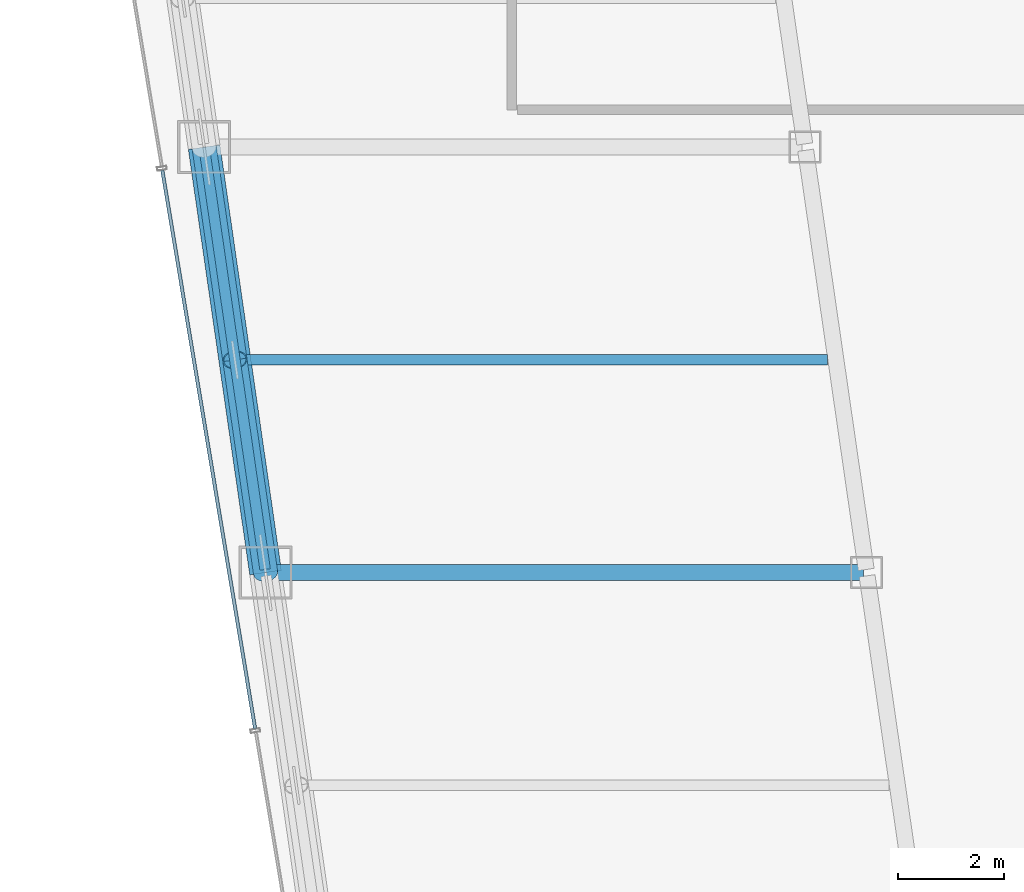
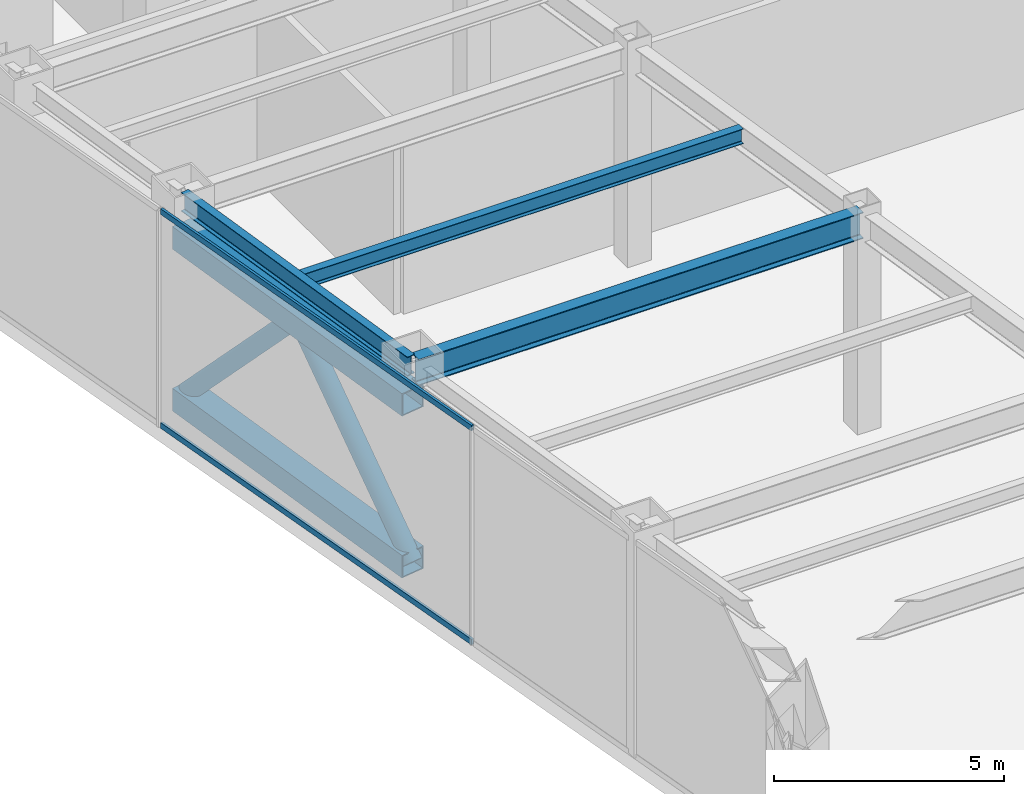
# One storey, part 8 of 30: 6 members, 3 beams, 1 element without a shape of its own.
"""IFC4 building model written with IfcOpenShell, lengths in metres."""

from ifc_helpers import new_model, si_unit, direction, frame, origin, origin_2d, place, context, subcontext, project, spatial, hollow_rectangle, hollow_circle, i_section, extrude, material, material_profile, profile_set, type_object, element, aggregate, save


model = new_model("IFC4")

# Units and contexts
model_context = context("Model", 3, precision=1e-05, world=origin(), true_north=direction((0.0, 1.0)))
body_context = subcontext(model_context, "Body", "Model", "MODEL_VIEW")
ifc_project = project(units=[si_unit("LENGTHUNIT", "METRE"), si_unit("AREAUNIT", "SQUARE_METRE"), si_unit("VOLUMEUNIT", "CUBIC_METRE"), si_unit("PLANEANGLEUNIT", "RADIAN"), si_unit("MASSUNIT", "GRAM", prefix="KILO")], contexts=[model_context])

# Site, building, storey
site_placement = place(None, origin())
site = spatial("IfcSite", under=ifc_project, at=site_placement, CompositionType="ELEMENT")
building_placement = place(site_placement, origin())
building = spatial("IfcBuilding", under=site, at=building_placement, Name="Saevonmaru Cultural Tower", CompositionType="ELEMENT")
storey_placement = place(building_placement, frame((0.0, 0.0, 123.60009765625)))
storey = spatial("IfcBuildingStorey", under=building, at=storey_placement, Name="L26", CompositionType="ELEMENT", Elevation=123.60009765625)

# Beams
ifc_material_1 = material(Name="Steel SM355", Category="steel")
ifc_material_profile_1 = material_profile(ifc_material_1, i_section(OverallWidth=0.300048828125, OverallDepth=0.699951171875, WebThickness=0.012939453125, FlangeThickness=0.02392578125, FilletRadius=0.02587890625, at=origin_2d()), Name="H-700x300x13x24")
ifc_profile_set_1 = profile_set([ifc_material_profile_1], Name="Steel SM355")
beam_type_1 = type_object("IfcBeamType", Name="BM-G-H700", PredefinedType="BEAM", material=ifc_profile_set_1)
beam_1_placement = place(storey_placement, frame((9.531982421875, 24.0, 5.39990234375), z_axis=(1.0, 0.0, 0.0), x_axis=(0.0, 1.0, 0.0)))
element("IfcBeam", 1, at=beam_1_placement, inside=storey, type_object=beam_type_1, Name="L26 West Wing Transverse Girder 3", PredefinedType="BEAM", context=body_context, shape_type="SweptSolid", body=[
    extrude(i_section(OverallWidth=0.300048828125, OverallDepth=0.699951171875, WebThickness=0.012939453125, FlangeThickness=0.02392578125, FilletRadius=0.02587890625, at=origin_2d()), origin(), (0.0, 0.0, 1.0), 11.179931640625),
])
ifc_material_profile_2 = material_profile(ifc_material_1, i_section(OverallWidth=0.199951171875, OverallDepth=0.39990234375, WebThickness=0.008056640625, FlangeThickness=0.012939453125, FilletRadius=0.01611328125, at=origin_2d()), Name="H-400x200x8x13")
ifc_profile_set_2 = profile_set([ifc_material_profile_2], Name="Steel SM355")
beam_type_2 = type_object("IfcBeamType", Name="BM-J-H400", PredefinedType="JOIST", material=ifc_profile_set_2)
beam_2_placement = place(storey_placement, frame((8.95458984375, 28.0, 5.5498046875), z_axis=(1.0, 0.0, 0.0), x_axis=(0.0, 1.0, 0.0)))
element("IfcBeam", 2, at=beam_2_placement, inside=storey, type_object=beam_type_2, Name="L26 West Wing Floor Joist 3", PredefinedType="JOIST", context=body_context, shape_type="SweptSolid", body=[
    extrude(i_section(OverallWidth=0.199951171875, OverallDepth=0.39990234375, WebThickness=0.008056640625, FlangeThickness=0.012939453125, FilletRadius=0.01611328125, at=origin_2d()), origin(), (0.0, 0.0, 1.0), 11.08203125),
])
ifc_material_profile_3 = material_profile(ifc_material_1, i_section(OverallWidth=0.199951171875, OverallDepth=0.5, WebThickness=0.010009765625, FlangeThickness=0.01611328125, FilletRadius=0.02001953125, at=origin_2d()), Name="H-500x200x10x16")
ifc_profile_set_3 = profile_set([ifc_material_profile_3], Name="Steel SM355")
beam_type_3 = type_object("IfcBeamType", Name="BM-SP-H500", PredefinedType="SPANDREL", material=ifc_profile_set_3)
beam_3_placement = place(storey_placement, frame((9.46337890625, 24.059326171875, 5.5), z_axis=(-0.142871999001, 0.989741174197, 0.0), x_axis=(-0.989741174197, -0.142871999001, 0.0)))
element("IfcBeam", 3, at=beam_3_placement, inside=storey, type_object=beam_type_3, Name="L26 West Splayed Spandrel 3", PredefinedType="SPANDREL", context=body_context, shape_type="SweptSolid", body=[
    extrude(i_section(OverallWidth=0.199951171875, OverallDepth=0.5, WebThickness=0.010009765625, FlangeThickness=0.01611328125, FilletRadius=0.02001953125, at=origin_2d()), origin(), (0.0, 0.0, 1.0), 7.963134765625),
])

# Members
ifc_material_2 = material(Name="Steel SM420", Category="steel")
ifc_material_profile_4 = material_profile(ifc_material_2, hollow_circle(Radius=0.228515625, WallThickness=0.02001953125, at=origin_2d()), Name="CHS-457.2x20")
ifc_profile_set_4 = profile_set([ifc_material_profile_4], Name="Steel SM420")
member_type_1 = type_object("IfcMemberType", Name="MB-BBR-CHS457", PredefinedType="BRACE", material=ifc_profile_set_4)
for number, where, z_axis, x_axis, name in (
    (4, (9.471923828125, 24.0, 0.2998046875), (-0.097761801312, 0.677837220775, 0.728683286714), (-0.989758915483, -0.142749042803, 0.0), "L26 Belt Truss Diagonal BW3-1"),
    (5, (8.31689453125, 32.0, 0.2998046875), (0.097966677563, -0.677823498816, 0.72866853544), (0.989716197255, 0.143044919135, 0.0), "L26 Belt Truss Diagonal BW3-2"),
):
    element("IfcMember", number, at=place(storey_placement, frame(where, z_axis=z_axis, x_axis=x_axis)), inside=storey, type_object=member_type_1, Name=name, PredefinedType="BRACE", context=body_context, shape_type="SweptSolid", body=[
        extrude(hollow_circle(Radius=0.228515625, WallThickness=0.02001953125, at=origin_2d()), origin(), (0.0, 0.0, 1.0), 5.901123046875),
    ])
ifc_material_profile_5 = material_profile(ifc_material_2, hollow_rectangle(XDim=0.60009765625, YDim=0.60009765625, WallThickness=0.028076171875, at=origin_2d()), Name="BOX-600x600x28")
ifc_profile_set_5 = profile_set([ifc_material_profile_5], Name="Steel SM420")
member_type_2 = type_object("IfcMemberType", Name="MB-BCH-BOX600", PredefinedType="CHORD", material=ifc_profile_set_5)
for number, where, z_axis, x_axis, name in (
    (6, (9.471923828125, 24.0, 0.2998046875), (-0.142896985758, 0.989737566965, 0.0), (-0.989737566965, -0.142896985758, 0.0), "L26 Belt Truss Bottom Chord BW3"),
    (7, (9.471923828125, 24.0, 4.599853515625), (-0.142896985758, 0.989737566965, 0.0), (-0.989737566965, -0.142896985758, 0.0), "L26 Belt Truss Top Chord BW3"),
):
    element("IfcMember", number, at=place(storey_placement, frame(where, z_axis=z_axis, x_axis=x_axis)), inside=storey, type_object=member_type_2, Name=name, PredefinedType="CHORD", context=body_context, shape_type="SweptSolid", body=[
        extrude(hollow_rectangle(XDim=0.60009765625, YDim=0.60009765625, WallThickness=0.028076171875, at=origin_2d()), origin(), (0.0, 0.0, 1.0), 8.0830078125),
    ])

# Curtain wall, members
ifc_material_3 = material(Name="Satin Bronze Anodised Aluminium", Category="aluminium")
curtain_wall_type = type_object("IfcCurtainWallType", Name="CW-TYP-A", PredefinedType="NOTDEFINED", material=ifc_material_3)
curtain_wall_placement = place(storey_placement, origin())
curtain_wall = element("IfcCurtainWall", 8, at=curtain_wall_placement, inside=storey, type_object=curtain_wall_type, Name="L26 Wind-Floor Acoustic Louvre Screen E12", PredefinedType="NOTDEFINED")
ifc_material_profile_6 = material_profile(ifc_material_3, hollow_rectangle(XDim=0.06494140625, YDim=0.14990234375, WallThickness=0.00390625, at=origin_2d()), Name="ALU-TRAN-150x65x4")
ifc_profile_set_6 = profile_set([ifc_material_profile_6], Name="Satin Bronze Anodised Aluminium")
member_type_3 = type_object("IfcMemberType", Name="TR-CW-150x65", PredefinedType="USERDEFINED", material=ifc_profile_set_6)
member_1_placement = place(storey_placement, frame((7.52978515625, 31.56787109375, 0.032470703125), z_axis=(0.163993787386, -0.98646137162, 0.0), x_axis=(0.98646137162, 0.163993787386, 0.0)))
member_1 = element("IfcMember", 9, at=member_1_placement, type_object=member_type_3, Name="CW-TW-L26-E12 transom 3.1", ObjectType="TRANSOM", PredefinedType="USERDEFINED", context=body_context, shape_type="SweptSolid", body=[
    extrude(hollow_rectangle(XDim=0.06494140625, YDim=0.14990234375, WallThickness=0.00390625, at=origin_2d()), origin(), (0.0, 0.0, 1.0), 10.650390625),
])
member_2_placement = place(storey_placement, frame((7.52978515625, 31.56787109375, 5.71728515625), z_axis=(0.163993787386, -0.98646137162, 0.0), x_axis=(0.98646137162, 0.163993787386, 0.0)))
member_2 = element("IfcMember", 10, at=member_2_placement, type_object=member_type_3, Name="CW-TW-L26-E12 transom 3.2", ObjectType="TRANSOM", PredefinedType="USERDEFINED", context=body_context, shape_type="SweptSolid", body=[
    extrude(hollow_rectangle(XDim=0.06494140625, YDim=0.14990234375, WallThickness=0.00390625, at=origin_2d()), origin(), (0.0, 0.0, 1.0), 10.650390625),
])
aggregate(curtain_wall, [member_1, member_2])

save(model, "model.ifc")
